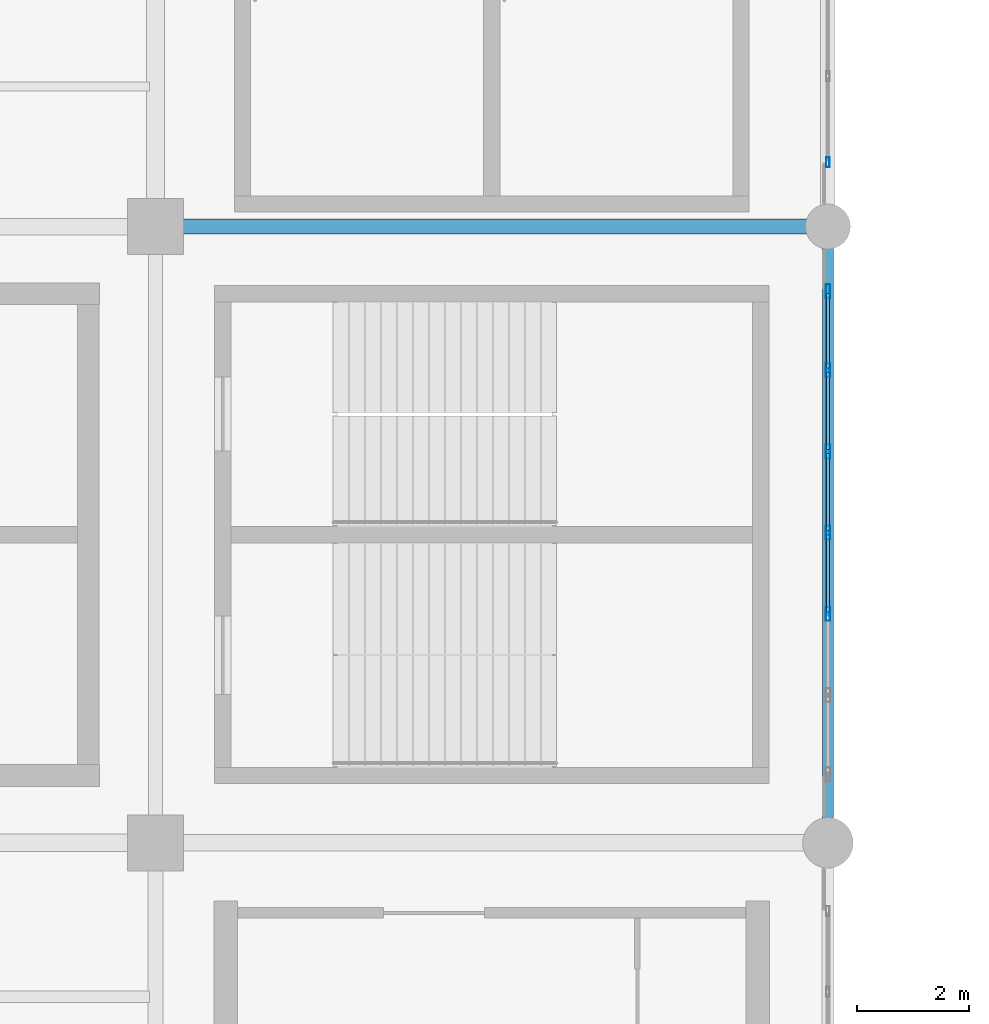
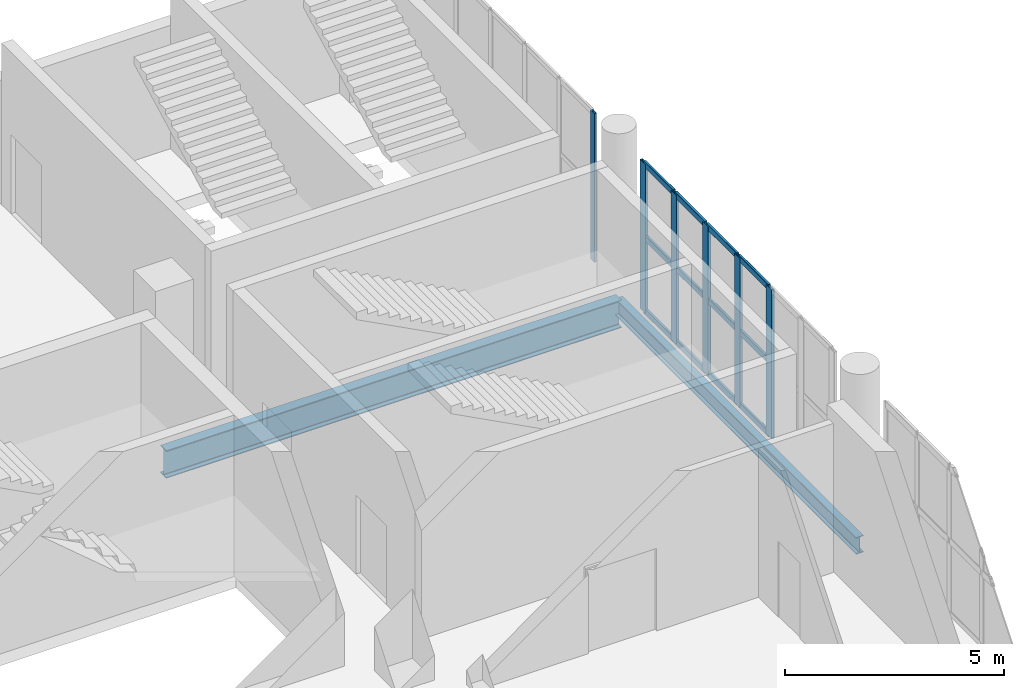
# One storey, part 64 of 108: 18 members, 2 beams, 2 elements without a shape of their own.
"""IFC4 building model written with IfcOpenShell, lengths in metres."""

from ifc_helpers import new_model, si_unit, direction, frame, origin, origin_2d, place, context, subcontext, project, spatial, hollow_rectangle, i_section, extrude, material, layer, layer_set, material_profile, profile_set, type_object, element, aggregate, save


model = new_model("IFC4")

# Units and contexts
model_context = context("Model", 3, precision=1e-05, world=origin(), true_north=direction((0.0, 1.0)))
body_context = subcontext(model_context, "Body", "Model", "MODEL_VIEW")
ifc_project = project(units=[si_unit("LENGTHUNIT", "METRE"), si_unit("AREAUNIT", "SQUARE_METRE"), si_unit("VOLUMEUNIT", "CUBIC_METRE"), si_unit("PLANEANGLEUNIT", "RADIAN"), si_unit("MASSUNIT", "GRAM", prefix="KILO")], contexts=[model_context])

# Site, building, storey
site_placement = place(None, origin())
site = spatial("IfcSite", under=ifc_project, at=site_placement, CompositionType="ELEMENT")
building_placement = place(site_placement, origin())
building = spatial("IfcBuilding", under=site, at=building_placement, Name="Brinegate Civic Arena", CompositionType="ELEMENT")
storey_placement = place(building_placement, frame((0.0, 0.0, 10.199951171875)))
storey = spatial("IfcBuildingStorey", under=building, at=storey_placement, Name="L02", CompositionType="ELEMENT", Elevation=10.199951171875)

# Curtain wall, member
ifc_material_1 = material(Name="Marine grade aluminium", Category="aluminium")
ifc_layer = layer(ifc_material_1, 0.199951171875, Name="Marine grade aluminium")
ifc_layer_set = layer_set([ifc_layer], Name="Marine grade aluminium")
curtain_wall_type = type_object("IfcCurtainWallType", Name="CW-BOWL-GLAZED-01", PredefinedType="USERDEFINED", material=ifc_layer_set)
curtain_wall_1_placement = place(storey_placement, origin())
curtain_wall_1 = element("IfcCurtainWall", 1, at=curtain_wall_1_placement, inside=storey, type_object=curtain_wall_type, Name="Curtain Wall CWA-092", ObjectType="GLAZED CURTAIN WALL", PredefinedType="USERDEFINED")
ifc_material_profile_1 = material_profile(ifc_material_1, hollow_rectangle(XDim=0.06494140625, YDim=0.179931640625, WallThickness=0.0048828125, InnerFilletRadius=0.00390625, OuterFilletRadius=0.008056640625, at=origin_2d()), Name="MUL65X180")
ifc_profile_set_1 = profile_set([ifc_material_profile_1], Name="Marine grade aluminium")
member_type_1 = type_object("IfcMemberType", Name="CW-MULLION-65X180", PredefinedType="MULLION", material=ifc_profile_set_1)
member_1_placement = place(storey_placement, frame((168.0, 105.1484375, 0.0), z_axis=(0.0, 0.0, 1.0), x_axis=(-1.0, 0.0, 0.0)))
member_1 = element("IfcMember", 2, at=member_1_placement, type_object=member_type_1, Name="CWA-092 mullion 1", PredefinedType="MULLION", context=body_context, shape_type="SweptSolid", body=[
    extrude(hollow_rectangle(XDim=0.06494140625, YDim=0.179931640625, WallThickness=0.0048828125, InnerFilletRadius=0.00390625, OuterFilletRadius=0.008056640625, at=origin_2d()), origin(), (0.0, 0.0, 1.0), 4.150146484375),
])
aggregate(curtain_wall_1, [member_1])

# Curtain wall, members
curtain_wall_2_placement = place(storey_placement, origin())
curtain_wall_2 = element("IfcCurtainWall", 3, at=curtain_wall_2_placement, inside=storey, type_object=curtain_wall_type, Name="Curtain Wall CWA-090", ObjectType="GLAZED CURTAIN WALL", PredefinedType="USERDEFINED")
ifc_material_profile_2 = material_profile(ifc_material_1, hollow_rectangle(XDim=0.074951171875, YDim=0.25, WallThickness=0.006103515625, InnerFilletRadius=0.00390625, OuterFilletRadius=0.008056640625, at=origin_2d()), Name="MUL75X250")
ifc_profile_set_2 = profile_set([ifc_material_profile_2], Name="Marine grade aluminium")
member_type_2 = type_object("IfcMemberType", Name="CW-MULLION-75X250", PredefinedType="MULLION", material=ifc_profile_set_2)
member_2_placement = place(storey_placement, frame((168.0, 97.08544921875, 0.0), z_axis=(0.0, 0.0, 1.0), x_axis=(-1.0, 0.0, 0.0)))
member_2 = element("IfcMember", 4, at=member_2_placement, type_object=member_type_2, Name="CWA-090 mullion 3", PredefinedType="MULLION", context=body_context, shape_type="SweptSolid", body=[
    extrude(hollow_rectangle(XDim=0.074951171875, YDim=0.25, WallThickness=0.006103515625, InnerFilletRadius=0.00390625, OuterFilletRadius=0.008056640625, at=origin_2d()), origin(), (0.0, 0.0, 1.0), 4.150146484375),
])
member_3_placement = place(storey_placement, frame((168.0, 98.534912109375, 0.0), z_axis=(0.0, 0.0, 1.0), x_axis=(-1.0, 0.0, 0.0)))
member_3 = element("IfcMember", 5, at=member_3_placement, type_object=member_type_2, Name="CWA-090 mullion 4", PredefinedType="MULLION", context=body_context, shape_type="SweptSolid", body=[
    extrude(hollow_rectangle(XDim=0.074951171875, YDim=0.25, WallThickness=0.006103515625, InnerFilletRadius=0.00390625, OuterFilletRadius=0.008056640625, at=origin_2d()), origin(), (0.0, 0.0, 1.0), 4.150146484375),
])
member_4_placement = place(storey_placement, frame((168.0, 99.984619140625, 0.0), z_axis=(0.0, 0.0, 1.0), x_axis=(-1.0, 0.0, 0.0)))
member_4 = element("IfcMember", 6, at=member_4_placement, type_object=member_type_2, Name="CWA-090 mullion 5", PredefinedType="MULLION", context=body_context, shape_type="SweptSolid", body=[
    extrude(hollow_rectangle(XDim=0.074951171875, YDim=0.25, WallThickness=0.006103515625, InnerFilletRadius=0.00390625, OuterFilletRadius=0.008056640625, at=origin_2d()), origin(), (0.0, 0.0, 1.0), 4.150146484375),
])
member_5_placement = place(storey_placement, frame((168.0, 101.434326171875, 0.0), z_axis=(0.0, 0.0, 1.0), x_axis=(-1.0, 0.0, 0.0)))
member_5 = element("IfcMember", 7, at=member_5_placement, type_object=member_type_2, Name="CWA-090 mullion 6", PredefinedType="MULLION", context=body_context, shape_type="SweptSolid", body=[
    extrude(hollow_rectangle(XDim=0.074951171875, YDim=0.25, WallThickness=0.006103515625, InnerFilletRadius=0.00390625, OuterFilletRadius=0.008056640625, at=origin_2d()), origin(), (0.0, 0.0, 1.0), 4.150146484375),
])
member_6_placement = place(storey_placement, frame((168.0, 102.846435546875, 0.0), z_axis=(0.0, 0.0, 1.0), x_axis=(-1.0, 0.0, 0.0)))
member_6 = element("IfcMember", 8, at=member_6_placement, type_object=member_type_2, Name="CWA-090 mullion 7", PredefinedType="MULLION", context=body_context, shape_type="SweptSolid", body=[
    extrude(hollow_rectangle(XDim=0.074951171875, YDim=0.25, WallThickness=0.006103515625, InnerFilletRadius=0.00390625, OuterFilletRadius=0.008056640625, at=origin_2d()), origin(), (0.0, 0.0, 1.0), 4.150146484375),
])
ifc_material_profile_3 = material_profile(ifc_material_1, hollow_rectangle(XDim=0.06494140625, YDim=0.1650390625, WallThickness=0.0048828125, InnerFilletRadius=0.00390625, OuterFilletRadius=0.008056640625, at=origin_2d()), Name="TRN65X165")
ifc_profile_set_3 = profile_set([ifc_material_profile_3], Name="Marine grade aluminium")
member_type_3 = type_object("IfcMemberType", Name="CW-TRANSOM-65X165", PredefinedType="USERDEFINED", material=ifc_profile_set_3)
member_7_placement = place(storey_placement, frame((168.0, 97.122802734375, 0.032470703125), z_axis=(0.0, 1.0, 0.0), x_axis=(-1.0, 0.0, 0.0)))
member_7 = element("IfcMember", 9, at=member_7_placement, type_object=member_type_3, Name="CWA-090 transom 3.1", ObjectType="TRANSOM", PredefinedType="USERDEFINED", context=body_context, shape_type="SweptSolid", body=[
    extrude(hollow_rectangle(XDim=0.06494140625, YDim=0.1650390625, WallThickness=0.0048828125, InnerFilletRadius=0.00390625, OuterFilletRadius=0.008056640625, at=origin_2d()), origin(), (0.0, 0.0, 1.0), 1.374755859375),
])
member_8_placement = place(storey_placement, frame((168.0, 97.122802734375, 2.074951171875), z_axis=(0.0, 1.0, 0.0), x_axis=(-1.0, 0.0, 0.0)))
member_8 = element("IfcMember", 10, at=member_8_placement, type_object=member_type_3, Name="CWA-090 transom 3.2", ObjectType="TRANSOM", PredefinedType="USERDEFINED", context=body_context, shape_type="SweptSolid", body=[
    extrude(hollow_rectangle(XDim=0.06494140625, YDim=0.1650390625, WallThickness=0.0048828125, InnerFilletRadius=0.00390625, OuterFilletRadius=0.008056640625, at=origin_2d()), origin(), (0.0, 0.0, 1.0), 1.374755859375),
])
member_9_placement = place(storey_placement, frame((168.0, 97.122802734375, 4.117431640625), z_axis=(0.0, 1.0, 0.0), x_axis=(-1.0, 0.0, 0.0)))
member_9 = element("IfcMember", 11, at=member_9_placement, type_object=member_type_3, Name="CWA-090 transom 3.3", ObjectType="TRANSOM", PredefinedType="USERDEFINED", context=body_context, shape_type="SweptSolid", body=[
    extrude(hollow_rectangle(XDim=0.06494140625, YDim=0.1650390625, WallThickness=0.0048828125, InnerFilletRadius=0.00390625, OuterFilletRadius=0.008056640625, at=origin_2d()), origin(), (0.0, 0.0, 1.0), 1.374755859375),
])
member_10_placement = place(storey_placement, frame((168.0, 98.572509765625, 0.032470703125), z_axis=(0.0, 1.0, 0.0), x_axis=(-1.0, 0.0, 0.0)))
member_10 = element("IfcMember", 12, at=member_10_placement, type_object=member_type_3, Name="CWA-090 transom 4.1", ObjectType="TRANSOM", PredefinedType="USERDEFINED", context=body_context, shape_type="SweptSolid", body=[
    extrude(hollow_rectangle(XDim=0.06494140625, YDim=0.1650390625, WallThickness=0.0048828125, InnerFilletRadius=0.00390625, OuterFilletRadius=0.008056640625, at=origin_2d()), origin(), (0.0, 0.0, 1.0), 1.374755859375),
])
member_11_placement = place(storey_placement, frame((168.0, 98.572509765625, 2.074951171875), z_axis=(0.0, 1.0, 0.0), x_axis=(-1.0, 0.0, 0.0)))
member_11 = element("IfcMember", 13, at=member_11_placement, type_object=member_type_3, Name="CWA-090 transom 4.2", ObjectType="TRANSOM", PredefinedType="USERDEFINED", context=body_context, shape_type="SweptSolid", body=[
    extrude(hollow_rectangle(XDim=0.06494140625, YDim=0.1650390625, WallThickness=0.0048828125, InnerFilletRadius=0.00390625, OuterFilletRadius=0.008056640625, at=origin_2d()), origin(), (0.0, 0.0, 1.0), 1.374755859375),
])
member_12_placement = place(storey_placement, frame((168.0, 98.572509765625, 4.117431640625), z_axis=(0.0, 1.0, 0.0), x_axis=(-1.0, 0.0, 0.0)))
member_12 = element("IfcMember", 14, at=member_12_placement, type_object=member_type_3, Name="CWA-090 transom 4.3", ObjectType="TRANSOM", PredefinedType="USERDEFINED", context=body_context, shape_type="SweptSolid", body=[
    extrude(hollow_rectangle(XDim=0.06494140625, YDim=0.1650390625, WallThickness=0.0048828125, InnerFilletRadius=0.00390625, OuterFilletRadius=0.008056640625, at=origin_2d()), origin(), (0.0, 0.0, 1.0), 1.374755859375),
])
member_13_placement = place(storey_placement, frame((168.0, 100.022216796875, 0.032470703125), z_axis=(0.0, 1.0, 0.0), x_axis=(-1.0, 0.0, 0.0)))
member_13 = element("IfcMember", 15, at=member_13_placement, type_object=member_type_3, Name="CWA-090 transom 5.1", ObjectType="TRANSOM", PredefinedType="USERDEFINED", context=body_context, shape_type="SweptSolid", body=[
    extrude(hollow_rectangle(XDim=0.06494140625, YDim=0.1650390625, WallThickness=0.0048828125, InnerFilletRadius=0.00390625, OuterFilletRadius=0.008056640625, at=origin_2d()), origin(), (0.0, 0.0, 1.0), 1.37451171875),
])
member_14_placement = place(storey_placement, frame((168.0, 100.022216796875, 2.074951171875), z_axis=(0.0, 1.0, 0.0), x_axis=(-1.0, 0.0, 0.0)))
member_14 = element("IfcMember", 16, at=member_14_placement, type_object=member_type_3, Name="CWA-090 transom 5.2", ObjectType="TRANSOM", PredefinedType="USERDEFINED", context=body_context, shape_type="SweptSolid", body=[
    extrude(hollow_rectangle(XDim=0.06494140625, YDim=0.1650390625, WallThickness=0.0048828125, InnerFilletRadius=0.00390625, OuterFilletRadius=0.008056640625, at=origin_2d()), origin(), (0.0, 0.0, 1.0), 1.37451171875),
])
member_15_placement = place(storey_placement, frame((168.0, 100.022216796875, 4.117431640625), z_axis=(0.0, 1.0, 0.0), x_axis=(-1.0, 0.0, 0.0)))
member_15 = element("IfcMember", 17, at=member_15_placement, type_object=member_type_3, Name="CWA-090 transom 5.3", ObjectType="TRANSOM", PredefinedType="USERDEFINED", context=body_context, shape_type="SweptSolid", body=[
    extrude(hollow_rectangle(XDim=0.06494140625, YDim=0.1650390625, WallThickness=0.0048828125, InnerFilletRadius=0.00390625, OuterFilletRadius=0.008056640625, at=origin_2d()), origin(), (0.0, 0.0, 1.0), 1.37451171875),
])
member_16_placement = place(storey_placement, frame((168.0, 101.471923828125, 0.032470703125), z_axis=(0.0, 1.0, 0.0), x_axis=(-1.0, 0.0, 0.0)))
member_16 = element("IfcMember", 18, at=member_16_placement, type_object=member_type_3, Name="CWA-090 transom 6.1", ObjectType="TRANSOM", PredefinedType="USERDEFINED", context=body_context, shape_type="SweptSolid", body=[
    extrude(hollow_rectangle(XDim=0.06494140625, YDim=0.1650390625, WallThickness=0.0048828125, InnerFilletRadius=0.00390625, OuterFilletRadius=0.008056640625, at=origin_2d()), origin(), (0.0, 0.0, 1.0), 1.337158203125),
])
member_17_placement = place(storey_placement, frame((168.0, 101.471923828125, 2.074951171875), z_axis=(0.0, 1.0, 0.0), x_axis=(-1.0, 0.0, 0.0)))
member_17 = element("IfcMember", 19, at=member_17_placement, type_object=member_type_3, Name="CWA-090 transom 6.2", ObjectType="TRANSOM", PredefinedType="USERDEFINED", context=body_context, shape_type="SweptSolid", body=[
    extrude(hollow_rectangle(XDim=0.06494140625, YDim=0.1650390625, WallThickness=0.0048828125, InnerFilletRadius=0.00390625, OuterFilletRadius=0.008056640625, at=origin_2d()), origin(), (0.0, 0.0, 1.0), 1.337158203125),
])
member_18_placement = place(storey_placement, frame((168.0, 101.471923828125, 4.117431640625), z_axis=(0.0, 1.0, 0.0), x_axis=(-1.0, 0.0, 0.0)))
member_18 = element("IfcMember", 20, at=member_18_placement, type_object=member_type_3, Name="CWA-090 transom 6.3", ObjectType="TRANSOM", PredefinedType="USERDEFINED", context=body_context, shape_type="SweptSolid", body=[
    extrude(hollow_rectangle(XDim=0.06494140625, YDim=0.1650390625, WallThickness=0.0048828125, InnerFilletRadius=0.00390625, OuterFilletRadius=0.008056640625, at=origin_2d()), origin(), (0.0, 0.0, 1.0), 1.337158203125),
])
aggregate(curtain_wall_2, [member_2, member_3, member_4, member_5, member_6, member_7, member_8, member_9, member_10, member_11, member_12, member_13, member_14, member_15, member_16, member_17, member_18])

# Beams
ifc_material_2 = material(Name="Steel S355", Category="steel")
ifc_material_profile_4 = material_profile(ifc_material_2, i_section(OverallWidth=0.26806640625, OverallDepth=0.77001953125, WebThickness=0.01611328125, FlangeThickness=0.02490234375, FilletRadius=0.02001953125, at=origin_2d()), Name="W760X196")
ifc_profile_set_4 = profile_set([ifc_material_profile_4], Name="Steel S355")
beam_type_1 = type_object("IfcBeamType", Name="GIRDER-W760X196", PredefinedType="BEAM", material=ifc_profile_set_4)
beam_1_placement = place(storey_placement, frame((156.0, 104.0, -0.71484375), z_axis=(1.0, 0.0, 0.0), x_axis=(0.0, 1.0, 0.0)))
element("IfcBeam", 21, at=beam_1_placement, inside=storey, type_object=beam_type_1, Name="Floor Girder BM-L02-GX-13-10", PredefinedType="BEAM", context=body_context, shape_type="SweptSolid", body=[
    extrude(i_section(OverallWidth=0.26806640625, OverallDepth=0.77001953125, WebThickness=0.01611328125, FlangeThickness=0.02490234375, FilletRadius=0.02001953125, at=origin_2d()), origin(), (0.0, 0.0, 1.0), 12.0),
])
ifc_material_profile_5 = material_profile(ifc_material_2, i_section(OverallWidth=0.193115234375, OverallDepth=0.466064453125, WebThickness=0.010986328125, FlangeThickness=0.01904296875, FilletRadius=0.014892578125, at=origin_2d()), Name="W460X97")
ifc_profile_set_5 = profile_set([ifc_material_profile_5], Name="Steel S355")
beam_type_2 = type_object("IfcBeamType", Name="SPANDREL-W460X97", PredefinedType="SPANDREL", material=ifc_profile_set_5)
beam_2_placement = place(storey_placement, frame((168.0, 93.0, -0.56298828125), z_axis=(0.0, 1.0, 0.0), x_axis=(-1.0, 0.0, 0.0)))
element("IfcBeam", 22, at=beam_2_placement, inside=storey, type_object=beam_type_2, Name="Floor Girder BM-L02-GY-14-09", PredefinedType="SPANDREL", context=body_context, shape_type="SweptSolid", body=[
    extrude(i_section(OverallWidth=0.193115234375, OverallDepth=0.466064453125, WebThickness=0.010986328125, FlangeThickness=0.01904296875, FilletRadius=0.014892578125, at=origin_2d()), origin(), (0.0, 0.0, 1.0), 11.0),
])

save(model, "model.ifc")
